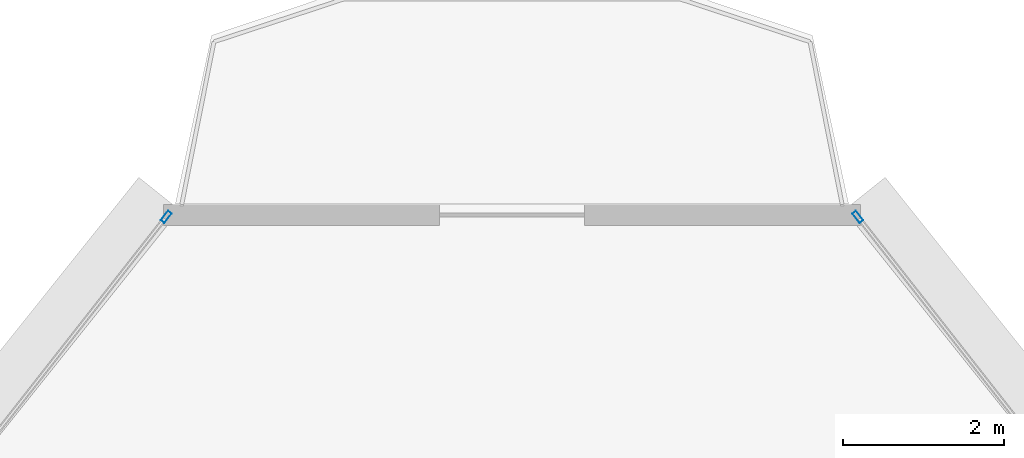
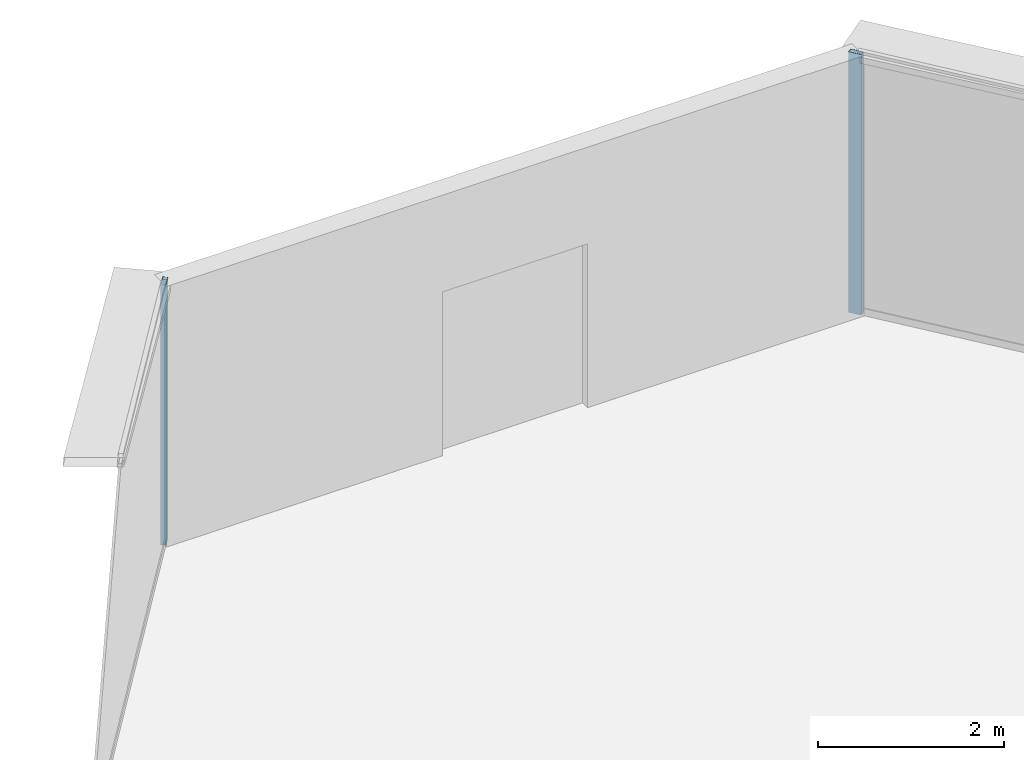
# One storey, part 29 of 39: 2 members, 2 elements without a shape of their own.
"""IFC4 building model written with IfcOpenShell, lengths in metres."""

from ifc_helpers import new_model, si_unit, direction, frame, origin, origin_2d, place, context, subcontext, project, spatial, hollow_rectangle, extrude, source, transform, mapped, material, layer, layer_set, material_profile, profile_set, type_object, element, aggregate, save


model = new_model("IFC4")

# Units and contexts
model_context = context("Model", 3, precision=1e-05, world=origin(), true_north=direction((0.0, 1.0)))
body_context = subcontext(model_context, "Body", "Model", "MODEL_VIEW")
ifc_project = project(units=[si_unit("LENGTHUNIT", "METRE"), si_unit("AREAUNIT", "SQUARE_METRE"), si_unit("VOLUMEUNIT", "CUBIC_METRE"), si_unit("PLANEANGLEUNIT", "RADIAN"), si_unit("MASSUNIT", "GRAM", prefix="KILO"), si_unit("THERMODYNAMICTEMPERATUREUNIT", "KELVIN"), si_unit("POWERUNIT", "WATT")], contexts=[model_context])

# Site, building, storey
site_placement = place(None, origin())
site = spatial("IfcSite", under=ifc_project, at=site_placement, CompositionType="ELEMENT")
building_placement = place(site_placement, origin())
building = spatial("IfcBuilding", under=site, at=building_placement, Name="Yunzhuo Pagoda Commons", CompositionType="ELEMENT")
storey_placement = place(building_placement, frame((0.0, 0.0, 162.949951171875)))
storey = spatial("IfcBuildingStorey", under=building, at=storey_placement, Name="L41", CompositionType="ELEMENT", Elevation=162.949951171875)

# Curtain wall, member
ifc_material = material(Name="Anodized aluminium 6063-T6", Category="aluminium")
ifc_layer = layer(ifc_material, 0.14990234375)
ifc_layer_set = layer_set([ifc_layer], Name="Anodized aluminium 6063-T6")
curtain_wall_type = type_object("IfcCurtainWallType", Name="CW-MID Mid-Zone Ribbon Curtain Wall", PredefinedType="NOTDEFINED", material=ifc_layer_set)
curtain_wall_1_placement = place(storey_placement, origin())
curtain_wall_1 = element("IfcCurtainWall", 1, at=curtain_wall_1_placement, inside=storey, type_object=curtain_wall_type, Name="L41 curtain wall CW-L41-F2B5", PredefinedType="NOTDEFINED")
ifc_material_profile = material_profile(ifc_material, hollow_rectangle(XDim=0.06005859375, YDim=0.14990234375, WallThickness=0.00390625, at=origin_2d()), Name="Anodized aluminium 6063-T6")
ifc_profile_set = profile_set([ifc_material_profile], Name="Anodized aluminium 6063-T6")
member_type = type_object("IfcMemberType", Name="CW-MID-M Mullion RHS 150x60x4", PredefinedType="MULLION", material=ifc_profile_set)
shared_shape = source(origin(), body_context, "Body", "SweptSolid", [
    extrude(hollow_rectangle(XDim=0.06005859375, YDim=0.14990234375, WallThickness=0.00390625, at=origin_2d()), origin(), (0.0, 0.0, 1.0), 3.420166015625),
])
member_1_placement = place(storey_placement, frame((52.29443359375, 83.974365234375, 0.0), z_axis=(0.0, 0.0, 1.0), x_axis=(-0.786855306064, -0.617137527071, 0.0)))
member_1 = element("IfcMember", 2, at=member_1_placement, type_object=member_type, Name="CW mullion 2", PredefinedType="MULLION", context=body_context, shape_type="MappedRepresentation", body=[
    mapped(shared_shape, transform((0.0, 0.0, 0.0), scale=1.0)),
])
aggregate(curtain_wall_1, [member_1])

curtain_wall_2_placement = place(storey_placement, origin())
curtain_wall_2 = element("IfcCurtainWall", 3, at=curtain_wall_2_placement, inside=storey, type_object=curtain_wall_type, Name="L41 curtain wall CW-L41-F3B1", PredefinedType="NOTDEFINED")
member_2_placement = place(storey_placement, frame((43.7060546875, 83.974365234375, 0.0), z_axis=(0.0, 0.0, 1.0), x_axis=(0.786855306064, -0.617137527071, 0.0)))
member_2 = element("IfcMember", 4, at=member_2_placement, type_object=member_type, Name="CW mullion 1", PredefinedType="MULLION", context=body_context, shape_type="MappedRepresentation", body=[
    mapped(shared_shape, transform((0.0, 0.0, 0.0), scale=1.0)),
])
aggregate(curtain_wall_2, [member_2])

save(model, "model.ifc")
